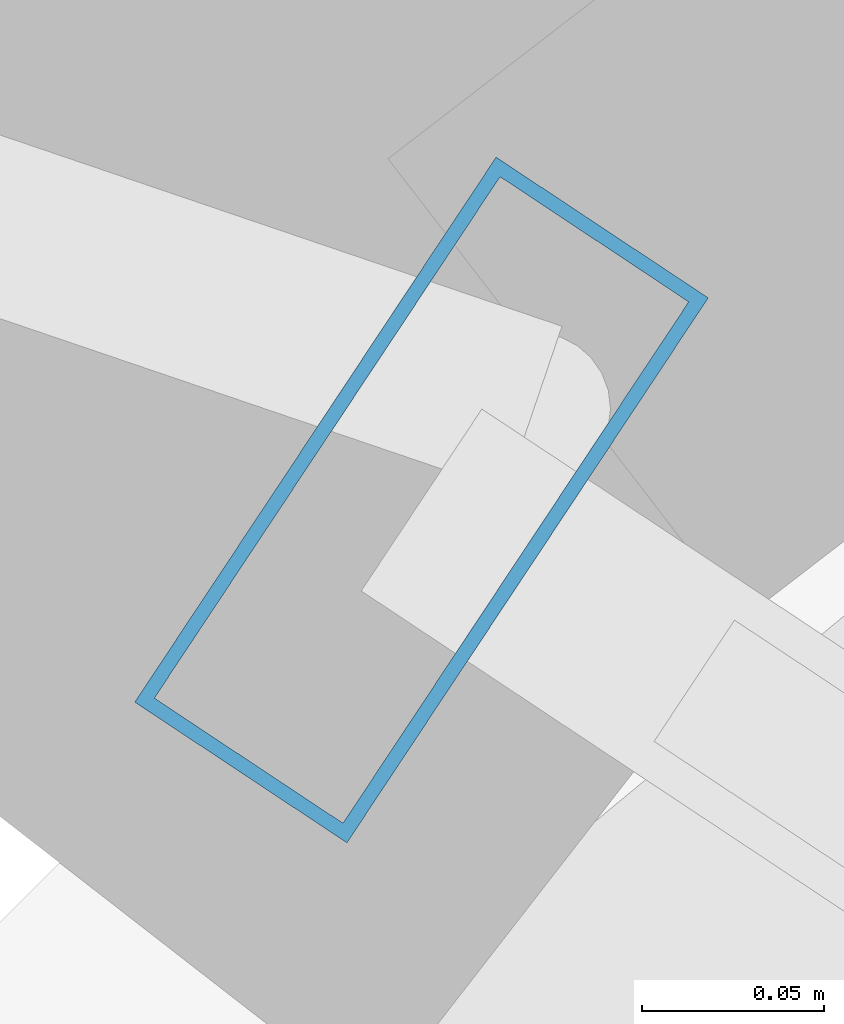
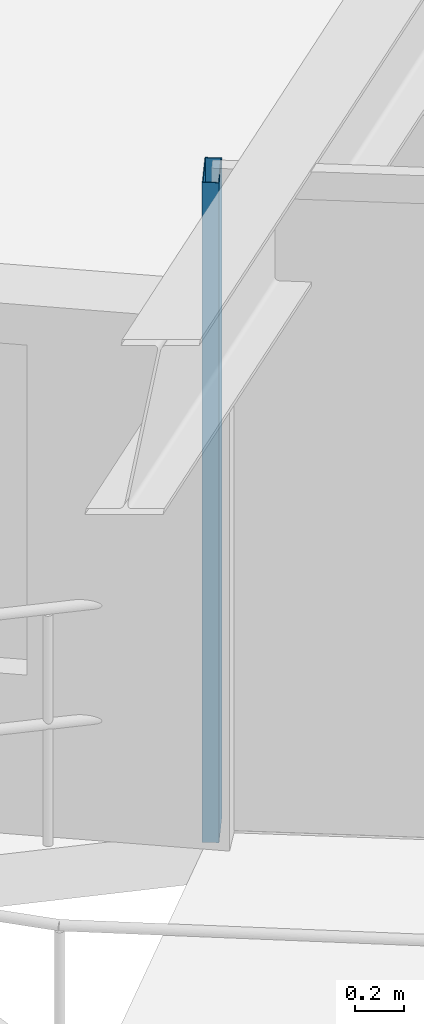
# One storey, part 2 of 17: 1 member, 1 element without a shape of its own.
"""IFC4 building model written with IfcOpenShell, lengths in metres."""

import ifcopenshell
import ifcopenshell.guid

model = None  # the IFC model being written
_history = None  # IfcOwnerHistory: only IFC2X3 demands one
_inside = {}  # id of a spatial element -> (the spatial element, [elements in it])
_under = {}  # id of a project, library or spatial element -> (it, [spatial elements below it])
_declared = {}  # id of a project -> (the project, [libraries it declares])
_typed = {}  # id of a type object -> (the type object, [elements of that type])
_made_of = {}  # id of a material, layer set ... -> (it, [elements and type objects made of it])


def new_model(schema):
    """Start an empty IFC model of exactly this schema.

    Asked for "IFC4X3", IfcOpenShell would pick the latest addendum, in which some entities
    have other attributes; the version numbers below select the first issue.
    IFC2X3 requires an IfcOwnerHistory on every rooted entity: one is made here for all.
    """
    global model, _history
    if schema == "IFC4X3":
        model = ifcopenshell.file(schema_version=(4, 3, 0, 0))
    else:
        model = ifcopenshell.file(schema=schema)
    _inside.clear()
    _under.clear()
    _declared.clear()
    _typed.clear()
    _made_of.clear()
    _history = None
    if model.schema == "IFC2X3":
        org = make("IfcOrganization", Name="unknown")
        user = make(
            "IfcPersonAndOrganization",
            ThePerson=make("IfcPerson", FamilyName="unknown"),
            TheOrganization=org,
        )
        app = make(
            "IfcApplication",
            ApplicationDeveloper=org,
            Version="unknown",
            ApplicationFullName="unknown",
            ApplicationIdentifier="unknown",
        )
        _history = make(
            "IfcOwnerHistory",
            OwningUser=user,
            OwningApplication=app,
            ChangeAction="ADDED",
            CreationDate=0,
        )
    return model


def make(cls, **values):
    """One entity of the class cls with the attributes given. An attribute that is None is left unset."""
    return model.create_entity(
        cls, **{name: value for name, value in values.items() if value is not None}
    )


def rooted(cls, **values):
    """An entity with a GlobalId (a new one), such as an element, a storey or a relation."""
    return make(cls, GlobalId=ifcopenshell.guid.new(), OwnerHistory=_history, **values)


def si_unit(unit_type, name, prefix=None):
    """IfcSIUnit, for example si_unit("LENGTHUNIT", "METRE", prefix="MILLI")."""
    return make("IfcSIUnit", UnitType=unit_type, Prefix=prefix, Name=name)


def assignment(units):
    """IfcUnitAssignment: the units of a project."""
    return None if units is None else make("IfcUnitAssignment", Units=units)


def point(xyz):
    """IfcCartesianPoint."""
    return None if xyz is None else make("IfcCartesianPoint", Coordinates=xyz)


def direction(xyz):
    """IfcDirection."""
    return None if xyz is None else make("IfcDirection", DirectionRatios=xyz)


def frame(location, z_axis=None, x_axis=None):
    """IfcAxis2Placement3D, a coordinate frame: its origin and axes. An axis left out is left unset."""
    return make(
        "IfcAxis2Placement3D",
        Location=point(location),
        Axis=direction(z_axis),
        RefDirection=direction(x_axis),
    )


def frame_2d(location, x_axis=None):
    """IfcAxis2Placement2D, a coordinate frame in the plane: its origin and x axis."""
    return make(
        "IfcAxis2Placement2D", Location=point(location), RefDirection=direction(x_axis)
    )


def origin():
    """The frame at (0, 0, 0) with its axes left unset."""
    return frame((0.0, 0.0, 0.0))


def origin_2d():
    """The frame at (0, 0) in the plane with its x axis left unset."""
    return frame_2d((0.0, 0.0))


def place(relative_to, where):
    """IfcLocalPlacement: puts the frame where relative to a parent placement (None: the world)."""
    return make(
        "IfcLocalPlacement", PlacementRelTo=relative_to, RelativePlacement=where
    )


def context(
    kind, dimensions, precision=None, world=None, true_north=None, identifier=None
):
    """IfcGeometricRepresentationContext, for example the 3D "Model" context."""
    return make(
        "IfcGeometricRepresentationContext",
        ContextIdentifier=identifier,
        ContextType=kind,
        CoordinateSpaceDimension=dimensions,
        Precision=precision,
        WorldCoordinateSystem=world,
        TrueNorth=true_north,
    )


def subcontext(parent, identifier, kind, view, scale=None):
    """IfcGeometricRepresentationSubContext, for example "Body" below "Model"."""
    return make(
        "IfcGeometricRepresentationSubContext",
        ContextIdentifier=identifier,
        ContextType=kind,
        ParentContext=parent,
        TargetScale=scale,
        TargetView=view,
    )


def project(units=None, contexts=None):
    """IfcProject with its units and contexts."""
    return rooted(
        "IfcProject",
        Name="project",
        RepresentationContexts=contexts,
        UnitsInContext=assignment(units),
    )


def spatial(cls, under=None, at=None, **own):
    """A site, building, storey or space (cls), placed at a placement, below another one or the project."""
    s = rooted(cls, ObjectPlacement=at, **own)
    if under is not None:
        _under.setdefault(under.id(), (under, []))[1].append(s)
    return s


def profile(cls, at=None, kind="AREA", **sizes):
    """A parametric profile (cls). Its sizes go by their IFC names, for example OverallWidth=200.0."""
    return make(cls, ProfileType=kind, Position=at, **sizes)


def hollow_rectangle(**sizes):
    """IfcRectangleHollowProfileDef."""
    return profile("IfcRectangleHollowProfileDef", **sizes)


def extrude(swept, where, along, depth):
    """IfcExtrudedAreaSolid: the profile swept, set in the frame where, extruded along a direction by depth."""
    return make(
        "IfcExtrudedAreaSolid",
        SweptArea=swept,
        Position=where,
        ExtrudedDirection=direction(along),
        Depth=depth,
    )


def shape(context_of_items, identifier, shape_type, items):
    """IfcShapeRepresentation: the items that make up one representation, for example the "Body"."""
    return make(
        "IfcShapeRepresentation",
        ContextOfItems=context_of_items,
        RepresentationIdentifier=identifier,
        RepresentationType=shape_type,
        Items=items,
    )


def material(Name=None, Category=None):
    """IfcMaterial."""
    return make("IfcMaterial", Name=Name, Category=Category)


def layer(
    of_material, thickness, ventilated=None, Name=None, Category=None, Priority=None
):
    """IfcMaterialLayer: one layer of a wall or slab, of a material (None: an air gap)."""
    return make(
        "IfcMaterialLayer",
        Material=of_material,
        LayerThickness=thickness,
        IsVentilated=ventilated,
        Name=Name,
        Category=Category,
        Priority=Priority,
    )


def layer_set(layers, Name=None):
    """IfcMaterialLayerSet."""
    return make("IfcMaterialLayerSet", MaterialLayers=layers, LayerSetName=Name)


def material_profile(
    of_material, cross_section, Name=None, Category=None, Priority=None
):
    """IfcMaterialProfile: a cross section and its material."""
    return make(
        "IfcMaterialProfile",
        Name=Name,
        Material=of_material,
        Profile=cross_section,
        Priority=Priority,
        Category=Category,
    )


def profile_set(profiles, Name=None, composite=None):
    """IfcMaterialProfileSet."""
    return make(
        "IfcMaterialProfileSet",
        Name=Name,
        MaterialProfiles=profiles,
        CompositeProfile=composite,
    )


def made_of(thing, what):
    """Note that an element or type object is made of a material, layer set ...; save() writes the relation."""
    if what is not None:
        _made_of.setdefault(what.id(), (what, []))[1].append(thing)
    return thing


def type_object(cls, material=None, **own):
    """A type object (cls), such as IfcWallType, which elements share."""
    return made_of(rooted(cls, **own), material)


def element(
    cls,
    number,
    at=None,
    inside=None,
    cuts=None,
    type_object=None,
    material=None,
    context=None,
    identifier="Body",
    shape_type=None,
    held_by="IfcProductDefinitionShape",
    body=None,
    shapes=None,
    **own,
):
    """One element of the class cls, such as IfcWall. Its Tag is "e" and its number.

    at: its placement. inside: the storey or other place that contains it. cuts: it is an
    opening in that element (IfcRelVoidsElement). A single representation is given by context,
    identifier, shape_type and body (its items); several are given by shapes. held_by: the class
    of the entity that holds the representations. save() writes the other relations.
    """
    e = rooted(cls, Tag="e%d" % number, ObjectPlacement=at, **own)
    if body is not None:
        shapes = [shape(context, identifier, shape_type, body)]
    if shapes is not None:
        e.Representation = make(held_by, Representations=shapes)
    if inside is not None:
        _inside.setdefault(inside.id(), (inside, []))[1].append(e)
    if cuts is not None:
        rooted(
            "IfcRelVoidsElement", RelatingBuildingElement=cuts, RelatedOpeningElement=e
        )
    if type_object is not None:
        _typed.setdefault(type_object.id(), (type_object, []))[1].append(e)
    return made_of(e, material)


def aggregate(whole, parts):
    """IfcRelAggregates: a whole, such as a stair, and the parts it consists of."""
    return rooted("IfcRelAggregates", RelatingObject=whole, RelatedObjects=parts)


def save(model, path):
    """Write the relations noted so far, then the file.

    IfcRelAggregates (storeys below a building ...), IfcRelContainedInSpatialStructure (elements
    in a storey), IfcRelDefinesByType, IfcRelAssociatesMaterial and IfcRelDeclares: one each for
    every whole, place, type object, material and project.
    """
    for whole, parts in _under.values():
        aggregate(whole, parts)
    for where, things in _inside.values():
        rooted(
            "IfcRelContainedInSpatialStructure",
            RelatedElements=things,
            RelatingStructure=where,
        )
    for kind, things in _typed.values():
        rooted("IfcRelDefinesByType", RelatedObjects=things, RelatingType=kind)
    for what, things in _made_of.values():
        rooted("IfcRelAssociatesMaterial", RelatedObjects=things, RelatingMaterial=what)
    for by, libraries in _declared.values():
        rooted("IfcRelDeclares", RelatingContext=by, RelatedDefinitions=libraries)
    model.write(path)


model = new_model("IFC4")

# Units and contexts
model_context = context("Model", 3, precision=1e-05, world=origin(), true_north=direction((0.0, 1.0)))
body_context = subcontext(model_context, "Body", "Model", "MODEL_VIEW")
ifc_project = project(units=[si_unit("LENGTHUNIT", "METRE"), si_unit("AREAUNIT", "SQUARE_METRE"), si_unit("VOLUMEUNIT", "CUBIC_METRE"), si_unit("PLANEANGLEUNIT", "RADIAN"), si_unit("MASSUNIT", "GRAM", prefix="KILO")], contexts=[model_context])

# Site, building, storey
site_placement = place(None, origin())
site = spatial("IfcSite", under=ifc_project, at=site_placement, CompositionType="ELEMENT")
building_placement = place(site_placement, origin())
building = spatial("IfcBuilding", under=site, at=building_placement, Name="Veldorina Hangang Commons", CompositionType="ELEMENT")
storey_placement = place(building_placement, frame((0.0, 0.0, 55.60009765625)))
storey = spatial("IfcBuildingStorey", under=building, at=storey_placement, Name="L13", CompositionType="ELEMENT", Elevation=55.60009765625)

# Curtain wall, member
ifc_material_1 = material(Name="Glass Low-E Triple IGU", Category="glass")
ifc_layer = layer(ifc_material_1, 0.179931640625)
ifc_layer_set = layer_set([ifc_layer], Name="Glass Low-E Triple IGU")
curtain_wall_type = type_object("IfcCurtainWallType", Name="CW-SYS-Z1", PredefinedType="NOTDEFINED", material=ifc_layer_set)
curtain_wall_placement = place(storey_placement, origin())
curtain_wall = element("IfcCurtainWall", 1, at=curtain_wall_placement, inside=storey, type_object=curtain_wall_type, Name="L13 unitised curtain wall CW-L13-R1", PredefinedType="NOTDEFINED")
ifc_material_2 = material(Name="Aluminium Anodized AA6063-T6", Category="aluminium")
ifc_material_profile = material_profile(ifc_material_2, hollow_rectangle(XDim=0.070068359375, YDim=0.179931640625, WallThickness=0.00390625, at=origin_2d()), Name="ALU-RHS-180x70x4")
ifc_profile_set = profile_set([ifc_material_profile], Name="Aluminium Anodized AA6063-T6")
member_type = type_object("IfcMemberType", Name="CW-MUL-180", PredefinedType="MULLION", material=ifc_profile_set)
member_placement = place(storey_placement, frame((13.58642578125, 9.1220703125, 0.0), z_axis=(0.0, 0.0, 1.0), x_axis=(0.833423139847, -0.552635386098, 0.0)))
member = element("IfcMember", 2, at=member_placement, type_object=member_type, Name="CW-L13-R1 vertical mullion 1", PredefinedType="MULLION", context=body_context, shape_type="SweptSolid", body=[
    extrude(hollow_rectangle(XDim=0.070068359375, YDim=0.179931640625, WallThickness=0.00390625, at=origin_2d()), origin(), (0.0, 0.0, 1.0), 3.2998046875),
])
aggregate(curtain_wall, [member])

save(model, "model.ifc")
